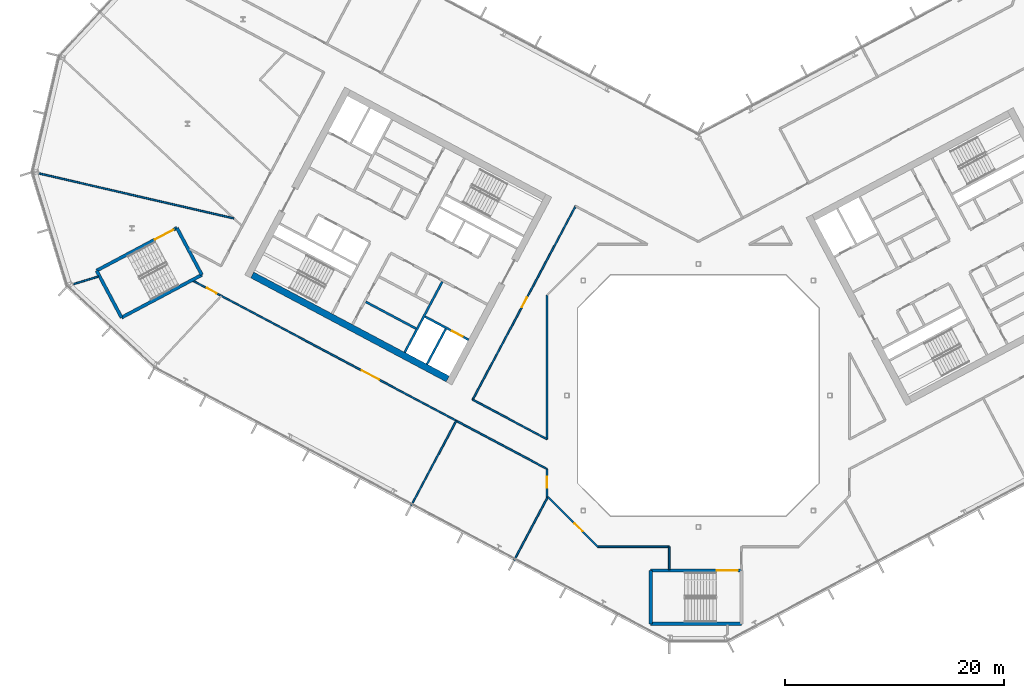
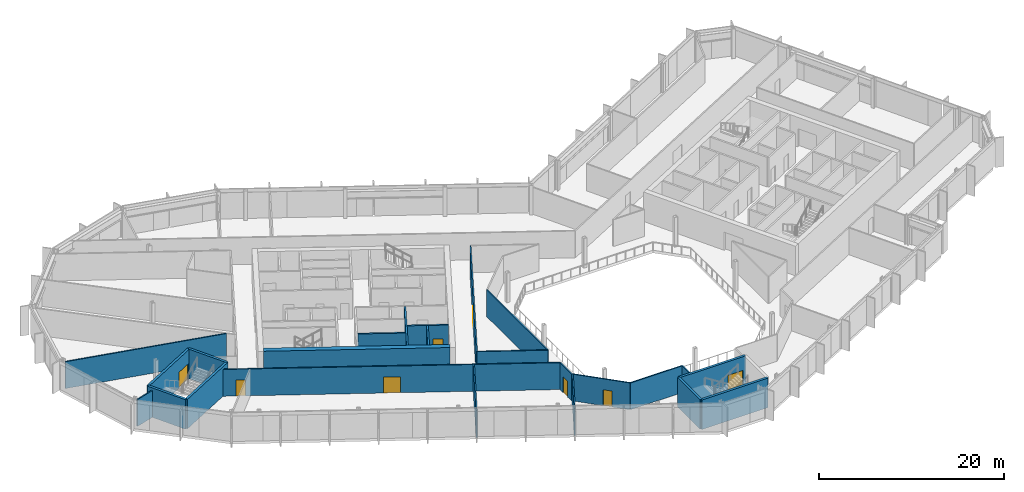
# One storey, part 12 of 26: 24 walls, 8 doors, 8 openings.
"""IFC4 building model written with IfcOpenShell, lengths in metres."""

from ifc_helpers import new_model, si_unit, direction, frame, frame_2d, origin, place, context, subcontext, project, spatial, rectangle, extrude, material, layer, layer_set, type_object, element, fill, save


model = new_model("IFC4")

# Units and contexts
model_context = context("Model", 3, precision=1e-05, world=origin(), true_north=direction((0.0, 1.0)))
body_context = subcontext(model_context, "Body", "Model", "MODEL_VIEW")
ifc_project = project(units=[si_unit("LENGTHUNIT", "METRE"), si_unit("AREAUNIT", "SQUARE_METRE"), si_unit("VOLUMEUNIT", "CUBIC_METRE"), si_unit("PLANEANGLEUNIT", "RADIAN"), si_unit("MASSUNIT", "GRAM", prefix="KILO")], contexts=[model_context])

# Site, building, storey
site_placement = place(None, origin())
site = spatial("IfcSite", under=ifc_project, at=site_placement, CompositionType="ELEMENT")
building_placement = place(site_placement, origin())
building = spatial("IfcBuilding", under=site, at=building_placement, Name="Cormorant Relay Tower", CompositionType="ELEMENT")
storey_placement = place(building_placement, frame((0.0, 0.0, 197.39990234375)))
storey = spatial("IfcBuildingStorey", under=building, at=storey_placement, Name="L42", CompositionType="ELEMENT", Elevation=197.39990234375)

# Walls
ifc_material_1 = material(Name="Concrete 40 MPa", Category="concrete")
ifc_layer_1 = layer(ifc_material_1, 0.199951171875)
ifc_layer_set_1 = layer_set([ifc_layer_1], Name="Core internal wall 200")
wall_type_1 = type_object("IfcWallType", Name="Core internal wall 200", PredefinedType="SOLIDWALL", material=ifc_layer_set_1)
wall_1_placement = place(storey_placement, frame((-25.7490234375, 6.102783203125, 0.0), z_axis=(0.0, 0.0, 1.0), x_axis=(-0.882953967957, 0.469459572775, 0.0)))
element("IfcWall", 1, at=wall_1_placement, inside=storey, type_object=wall_type_1, Name="L42 core A shaft and room wall", PredefinedType="SOLIDWALL", context=body_context, shape_type="SweptSolid", body=[
    extrude(rectangle(XDim=5.199951171875, YDim=0.199951171875, at=frame_2d((2.60009765625, 0.0))), origin(), (0.0, 0.0, 1.0), 3.900146484375),
])
ifc_material_2 = material(Name="Concrete 50 MPa", Category="concrete")
ifc_layer_2 = layer(ifc_material_2, 0.199951171875)
ifc_layer_set_2 = layer_set([ifc_layer_2], Name="Core shaft wall 200")
wall_type_2 = type_object("IfcWallType", Name="Core shaft wall 200", PredefinedType="SHEAR", material=ifc_layer_set_2)
wall_2_placement = place(storey_placement, frame((-23.04296875, 6.07958984375, 0.0), z_axis=(0.0, 0.0, 1.0), x_axis=(-0.469494272526, -0.882935517501, 0.0)))
element("IfcWall", 2, at=wall_2_placement, inside=storey, type_object=wall_type_2, Name="L42 core A shaft wall", PredefinedType="SHEAR", context=body_context, shape_type="SweptSolid", body=[
    extrude(rectangle(XDim=3.64990234375, YDim=0.199951171875, at=frame_2d((1.824951171875, 0.0))), origin(), (0.0, 0.0, 1.0), 3.900146484375),
])
wall_3_placement = place(storey_placement, frame((-23.360107421875, 10.38232421875, 0.0), z_axis=(0.0, 0.0, 1.0), x_axis=(-0.469480409012, -0.88294288918, 0.0)))
element("IfcWall", 3, at=wall_3_placement, inside=storey, type_object=wall_type_2, Name="L42 core A shaft wall", PredefinedType="SHEAR", context=body_context, shape_type="SweptSolid", body=[
    extrude(rectangle(XDim=7.300048828125, YDim=0.199951171875, at=frame_2d((3.64990234375, 0.0))), origin(), (0.0, 0.0, 1.0), 3.900146484375),
])

# Wall, opening, door
wall_4_placement = place(storey_placement, frame((-20.96533203125, 5.088134765625, 0.0), z_axis=(0.0, 0.0, 1.0), x_axis=(-0.882925986334, 0.469512196493, 0.0)))
wall_4 = element("IfcWall", 4, at=wall_4_placement, inside=storey, type_object=wall_type_2, Name="L42 core A shaft wall", PredefinedType="SHEAR", context=body_context, shape_type="SweptSolid", body=[
    extrude(rectangle(XDim=4.5, YDim=0.199951171875, at=frame_2d((2.25, 0.0))), origin(), (0.0, 0.0, 1.0), 3.900146484375),
])
opening_1_placement = place(wall_4_placement, frame((0.60009765625, 0.0, 0.0)))
opening_1 = element("IfcOpeningElement", 5, at=opening_1_placement, cuts=wall_4, Name="Opening LD1-063", PredefinedType="OPENING", context=body_context, shape_type="SweptSolid", body=[
    extrude(rectangle(XDim=1.10009765625, YDim=2.10009765625, at=frame_2d((0.550048828125, 1.050048828125))), frame((0.0, 0.10986328125, 0.0), z_axis=(0.0, -1.0, 0.0), x_axis=(1.0, 0.0, 0.0)), (0.0, 0.0, 1.0), 0.219970703125),
])
ifc_material_3 = material(Name="Stainless steel 316", Category="steel")
door_type_1 = type_object("IfcDoorType", Name="Lift landing door 1100x2100", OperationType="DOUBLE_DOOR_SLIDING", PredefinedType="DOOR", material=ifc_material_3)
door_1_placement = place(opening_1_placement, origin())
door_1 = element("IfcDoor", 6, at=door_1_placement, inside=storey, type_object=door_type_1, Name="FF1 landing door", OperationType="DOUBLE_DOOR_SLIDING", OverallHeight=2.10009765625, OverallWidth=1.10009765625, PredefinedType="DOOR", context=body_context, shape_type="SweptSolid", body=[
    extrude(rectangle(XDim=1.10009765625, YDim=2.10009765625, at=frame_2d((0.550048828125, 1.050048828125))), frame((0.0, 0.02490234375, 0.0), z_axis=(0.0, -1.0, 0.0), x_axis=(1.0, 0.0, 0.0)), (0.0, 0.0, 1.0), 0.050048828125),
])
fill(opening_1, door_1)

# Wall
ifc_material_4 = material(Name="Concrete 50 MPa", Category="concrete")
ifc_layer_3 = layer(ifc_material_4, 0.60009765625)
ifc_layer_set_3 = layer_set([ifc_layer_3], Name="Core wall 600")
wall_type_3 = type_object("IfcWallType", Name="Core wall 600", PredefinedType="SHEAR", material=ifc_layer_set_3)
wall_5_placement = place(storey_placement, frame((-22.86669921875, 1.51220703125, 0.0), z_axis=(0.0, 0.0, 1.0), x_axis=(-0.88294509198, 0.469476266226, 0.0)))
element("IfcWall", 7, at=wall_5_placement, inside=storey, type_object=wall_type_3, Name="L42 core A wall", PredefinedType="SHEAR", context=body_context, shape_type="SweptSolid", body=[
    extrude(rectangle(XDim=20.199951171875, YDim=0.60009765625, at=frame_2d((10.10009765625, 0.0))), origin(), (0.0, 0.0, 1.0), 3.900146484375),
])

# Wall, opening, door
ifc_material_5 = material(Name="Gypsum board fire partition")
ifc_layer_4 = layer(ifc_material_5, 0.14990234375)
ifc_layer_set_4 = layer_set([ifc_layer_4], Name="Corridor partition 150 EI 60")
wall_type_4 = type_object("IfcWallType", Name="Corridor partition 150 EI 60", PredefinedType="PARTITIONING", material=ifc_layer_set_4)
wall_6_placement = place(storey_placement, frame((-13.800048828125, -9.262939453125, 0.0), z_axis=(0.0, 0.0, 1.0), x_axis=(0.0, 1.0, 0.0)))
wall_6 = element("IfcWall", 8, at=wall_6_placement, inside=storey, type_object=wall_type_4, Name="wall/L42/part/015", PredefinedType="PARTITIONING", context=body_context, shape_type="SweptSolid", body=[
    extrude(rectangle(XDim=2.556884765625, YDim=0.14990234375, at=frame_2d((1.2783203125, 0.0))), origin(), (0.0, 0.0, 1.0), 3.5400390625),
])
opening_2_placement = place(wall_6_placement, frame((0.85400390625, 0.0, 0.0)))
opening_2 = element("IfcOpeningElement", 9, at=opening_2_placement, cuts=wall_6, Name="Opening DS-115", PredefinedType="OPENING", context=body_context, shape_type="SweptSolid", body=[
    extrude(rectangle(XDim=1.0, YDim=2.10009765625, at=frame_2d((0.5, 1.050048828125))), frame((0.0, 0.0849609375, 0.0), z_axis=(0.0, -1.0, 0.0), x_axis=(1.0, 0.0, 0.0)), (0.0, 0.0, 1.0), 0.169921875),
])
ifc_material_6 = material(Name="Timber door leaf", Category="wood")
door_type_2 = type_object("IfcDoorType", Name="Suite door 1000x2100", OperationType="SINGLE_SWING_LEFT", PredefinedType="DOOR", material=ifc_material_6)
door_2_placement = place(opening_2_placement, origin())
door_2 = element("IfcDoor", 10, at=door_2_placement, inside=storey, type_object=door_type_2, Name="door/L42/010", OperationType="SINGLE_SWING_RIGHT", OverallHeight=2.10009765625, OverallWidth=1.0, PredefinedType="DOOR", context=body_context, shape_type="SweptSolid", body=[
    extrude(rectangle(XDim=1.0, YDim=2.10009765625, at=frame_2d((0.5, 1.050048828125))), frame((0.0, 0.02490234375, 0.0), z_axis=(0.0, -1.0, 0.0), x_axis=(1.0, 0.0, 0.0)), (0.0, 0.0, 1.0), 0.050048828125),
])
fill(opening_2, door_2)

# Wall, openings, doors
wall_7_placement = place(storey_placement, frame((-13.800048828125, -6.7060546875, 0.0), z_axis=(0.0, 0.0, 1.0), x_axis=(-0.882947286887, 0.469472138235, 0.0)))
wall_7 = element("IfcWall", 11, at=wall_7_placement, inside=storey, type_object=wall_type_4, Name="wall/L42/part/016", PredefinedType="PARTITIONING", context=body_context, shape_type="SweptSolid", body=[
    extrude(rectangle(XDim=36.57080078125, YDim=0.14990234375, at=frame_2d((18.285400390625, 0.0))), origin(), (0.0, 0.0, 1.0), 3.5400390625),
])
opening_3_placement = place(wall_7_placement, frame((34.14990234375, 0.0, 0.0)))
opening_3 = element("IfcOpeningElement", 12, at=opening_3_placement, cuts=wall_7, Name="Opening DS-114", PredefinedType="OPENING", context=body_context, shape_type="SweptSolid", body=[
    extrude(rectangle(XDim=1.0, YDim=2.10009765625, at=frame_2d((0.5, 1.050048828125))), frame((0.0, 0.0849609375, 0.0), z_axis=(0.0, -1.0, 0.0), x_axis=(1.0, 0.0, 0.0)), (0.0, 0.0, 1.0), 0.169921875),
])
opening_4_placement = place(wall_7_placement, frame((17.35009765625, 0.0, 0.0)))
opening_4 = element("IfcOpeningElement", 13, at=opening_4_placement, cuts=wall_7, Name="Opening DD-022", PredefinedType="OPENING", context=body_context, shape_type="SweptSolid", body=[
    extrude(rectangle(XDim=1.800048828125, YDim=2.10009765625, at=frame_2d((0.89990234375, 1.050048828125))), frame((0.0, 0.0849609375, 0.0), z_axis=(0.0, -1.0, 0.0), x_axis=(1.0, 0.0, 0.0)), (0.0, 0.0, 1.0), 0.169921875),
])
door_3_placement = place(opening_3_placement, origin())
door_3 = element("IfcDoor", 14, at=door_3_placement, inside=storey, type_object=door_type_2, Name="door/L42/008", OperationType="SINGLE_SWING_LEFT", OverallHeight=2.10009765625, OverallWidth=1.0, PredefinedType="DOOR", context=body_context, shape_type="SweptSolid", body=[
    extrude(rectangle(XDim=1.0, YDim=2.10009765625, at=frame_2d((0.5, 1.050048828125))), frame((0.0, 0.02490234375, 0.0), z_axis=(0.0, -1.0, 0.0), x_axis=(1.0, 0.0, 0.0)), (0.0, 0.0, 1.0), 0.050048828125),
])
fill(opening_3, door_3)
ifc_material_7 = material(Name="Timber door leaf", Category="wood")
door_type_3 = type_object("IfcDoorType", Name="Suite double door 1800x2100", OperationType="DOUBLE_DOOR_SINGLE_SWING", PredefinedType="DOOR", material=ifc_material_7)
door_4_placement = place(opening_4_placement, origin())
door_4 = element("IfcDoor", 15, at=door_4_placement, inside=storey, type_object=door_type_3, Name="door/L42/009", OperationType="DOUBLE_DOOR_SINGLE_SWING", OverallHeight=2.10009765625, OverallWidth=1.800048828125, PredefinedType="DOOR", context=body_context, shape_type="SweptSolid", body=[
    extrude(rectangle(XDim=1.800048828125, YDim=2.10009765625, at=frame_2d((0.89990234375, 1.050048828125))), frame((0.0, 0.02490234375, 0.0), z_axis=(0.0, -1.0, 0.0), x_axis=(1.0, 0.0, 0.0)), (0.0, 0.0, 1.0), 0.050048828125),
])
fill(opening_4, door_4)

# Wall, opening, door
wall_8_placement = place(storey_placement, frame((-13.72607421875, -9.23388671875, 0.0), z_axis=(0.0, 0.0, 1.0), x_axis=(0.707106781187, -0.707106781187, 0.0)))
wall_8 = element("IfcWall", 16, at=wall_8_placement, inside=storey, type_object=wall_type_4, Name="wall/L42/part/022", PredefinedType="PARTITIONING", context=body_context, shape_type="SweptSolid", body=[
    extrude(rectangle(XDim=6.45751953125, YDim=0.14990234375, at=frame_2d((3.228759765625, 0.0))), origin(), (0.0, 0.0, 1.0), 3.5400390625),
])
opening_5_placement = place(wall_8_placement, frame((3.449951171875, 0.0, 0.0)))
opening_5 = element("IfcOpeningElement", 17, at=opening_5_placement, cuts=wall_8, Name="Opening DS-116", PredefinedType="OPENING", context=body_context, shape_type="SweptSolid", body=[
    extrude(rectangle(XDim=1.0, YDim=2.10009765625, at=frame_2d((0.5, 1.050048828125))), frame((0.0, 0.0849609375, 0.0), z_axis=(0.0, -1.0, 0.0), x_axis=(1.0, 0.0, 0.0)), (0.0, 0.0, 1.0), 0.169921875),
])
door_5_placement = place(opening_5_placement, frame((1.0, 0.0, 0.0), z_axis=(0.0, 0.0, 1.0), x_axis=(-1.0, 0.0, 0.0)))
door_5 = element("IfcDoor", 18, at=door_5_placement, inside=storey, type_object=door_type_2, Name="door/L42/011", OperationType="SINGLE_SWING_RIGHT", OverallHeight=2.10009765625, OverallWidth=1.0, PredefinedType="DOOR", context=body_context, shape_type="SweptSolid", body=[
    extrude(rectangle(XDim=1.0, YDim=2.10009765625, at=frame_2d((0.5, 1.050048828125))), frame((0.0, 0.02490234375, 0.0), z_axis=(0.0, -1.0, 0.0), x_axis=(1.0, 0.0, 0.0)), (0.0, 0.0, 1.0), 0.050048828125),
])
fill(opening_5, door_5)

# Walls
wall_9_placement = place(storey_placement, frame((-2.64892578125, -15.875, 0.0), z_axis=(0.0, 0.0, 1.0), x_axis=(0.0, 1.0, 0.0)))
element("IfcWall", 19, at=wall_9_placement, inside=storey, type_object=wall_type_4, Name="wall/L42/part/023", PredefinedType="PARTITIONING", context=body_context, shape_type="SweptSolid", body=[
    extrude(rectangle(XDim=2.074951171875, YDim=0.14990234375, at=frame_2d((1.03759765625, 0.0))), origin(), (0.0, 0.0, 1.0), 3.5400390625),
])
wall_10_placement = place(storey_placement, frame((-2.64892578125, -13.800048828125, 0.0), z_axis=(0.0, 0.0, 1.0), x_axis=(-1.0, 0.0, 0.0)))
element("IfcWall", 20, at=wall_10_placement, inside=storey, type_object=wall_type_4, Name="wall/L42/part/024", PredefinedType="PARTITIONING", context=body_context, shape_type="SweptSolid", body=[
    extrude(rectangle(XDim=6.510986328125, YDim=0.14990234375, at=frame_2d((3.25537109375, 0.0))), origin(), (0.0, 0.0, 1.0), 3.5400390625),
])

# Wall, opening, door
wall_11_placement = place(storey_placement, frame((-20.587890625, -0.37890625, 0.0), z_axis=(0.0, 0.0, 1.0), x_axis=(0.469489882812, 0.882937851685, 0.0)))
wall_11 = element("IfcWall", 21, at=wall_11_placement, inside=storey, type_object=wall_type_4, Name="wall/L42/part/044", PredefinedType="PARTITIONING", context=body_context, shape_type="SweptSolid", body=[
    extrude(rectangle(XDim=20.000244140625, YDim=0.14990234375, at=frame_2d((10.0, 0.0))), origin(), (0.0, 0.0, 1.0), 3.5400390625),
])
opening_6_placement = place(wall_11_placement, frame((9.550048828125, 0.0, 0.0)))
opening_6 = element("IfcOpeningElement", 22, at=opening_6_placement, cuts=wall_11, Name="Opening DS-117", PredefinedType="OPENING", context=body_context, shape_type="SweptSolid", body=[
    extrude(rectangle(XDim=1.0, YDim=2.10009765625, at=frame_2d((0.5, 1.050048828125))), frame((0.0, 0.0849609375, 0.0), z_axis=(0.0, -1.0, 0.0), x_axis=(1.0, 0.0, 0.0)), (0.0, 0.0, 1.0), 0.169921875),
])
door_6_placement = place(opening_6_placement, frame((1.0, 0.0, 0.0), z_axis=(0.0, 0.0, 1.0), x_axis=(-1.0, 0.0, 0.0)))
door_6 = element("IfcDoor", 23, at=door_6_placement, inside=storey, type_object=door_type_2, Name="door/L42/012", OperationType="SINGLE_SWING_LEFT", OverallHeight=2.10009765625, OverallWidth=1.0, PredefinedType="DOOR", context=body_context, shape_type="SweptSolid", body=[
    extrude(rectangle(XDim=1.0, YDim=2.10009765625, at=frame_2d((0.5, 1.050048828125))), frame((0.0, 0.02490234375, 0.0), z_axis=(0.0, -1.0, 0.0), x_axis=(1.0, 0.0, 0.0)), (0.0, 0.0, 1.0), 0.050048828125),
])
fill(opening_6, door_6)

# Walls
wall_12_placement = place(storey_placement, frame((-13.800048828125, 9.159912109375, 0.0), z_axis=(0.0, 0.0, 1.0), x_axis=(0.0, -1.0, 0.0)))
element("IfcWall", 24, at=wall_12_placement, inside=storey, type_object=wall_type_4, Name="wall/L42/part/048", PredefinedType="PARTITIONING", context=body_context, shape_type="SweptSolid", body=[
    extrude(rectangle(XDim=13.14794921875, YDim=0.14990234375, at=frame_2d((6.573974609375, 0.0))), origin(), (0.0, 0.0, 1.0), 3.5400390625),
])
wall_13_placement = place(storey_placement, frame((-13.800048828125, -3.988037109375, 0.0), z_axis=(0.0, 0.0, 1.0), x_axis=(-0.882949137368, 0.469468657976, 0.0)))
element("IfcWall", 25, at=wall_13_placement, inside=storey, type_object=wall_type_4, Name="wall/L42/part/049", PredefinedType="PARTITIONING", context=body_context, shape_type="SweptSolid", body=[
    extrude(rectangle(XDim=7.687744140625, YDim=0.14990234375, at=frame_2d((3.84375, 0.0))), origin(), (0.0, 0.0, 1.0), 3.5400390625),
])
ifc_material_8 = material(Name="Concrete 50 MPa", Category="concrete")
ifc_layer_5 = layer(ifc_material_8, 0.300048828125)
ifc_layer_set_5 = layer_set([ifc_layer_5], Name="Remote stair wall 300")
wall_type_5 = type_object("IfcWallType", Name="Remote stair wall 300", PredefinedType="SHEAR", material=ifc_layer_set_5)
wall_14_placement = place(storey_placement, frame((3.949951171875, -20.824951171875, 0.0), z_axis=(0.0, 0.0, 1.0), x_axis=(-1.0, 0.0, 0.0)))
element("IfcWall", 26, at=wall_14_placement, inside=storey, type_object=wall_type_5, Name="L42 exit stair RK1 wall", PredefinedType="SHEAR", context=body_context, shape_type="SweptSolid", body=[
    extrude(rectangle(XDim=8.300048828125, YDim=0.300048828125, at=frame_2d((4.14990234375, 0.0))), origin(), (0.0, 0.0, 1.0), 3.900146484375),
])
wall_15_placement = place(storey_placement, frame((-4.35009765625, -20.824951171875, 0.0), z_axis=(0.0, 0.0, 1.0), x_axis=(0.0, 1.0, 0.0)))
element("IfcWall", 27, at=wall_15_placement, inside=storey, type_object=wall_type_5, Name="L42 exit stair RK1 wall", PredefinedType="SHEAR", context=body_context, shape_type="SweptSolid", body=[
    extrude(rectangle(XDim=4.849853515625, YDim=0.300048828125, at=frame_2d((2.4248046875, 0.0))), origin(), (0.0, 0.0, 1.0), 3.900146484375),
])

# Wall, opening, door
wall_16_placement = place(storey_placement, frame((-4.35009765625, -15.97509765625, 0.0), z_axis=(0.0, 0.0, 1.0), x_axis=(1.0, 0.0, 0.0)))
wall_16 = element("IfcWall", 28, at=wall_16_placement, inside=storey, type_object=wall_type_5, Name="L42 exit stair RK1 wall", PredefinedType="SHEAR", context=body_context, shape_type="SweptSolid", body=[
    extrude(rectangle(XDim=8.300048828125, YDim=0.300048828125, at=frame_2d((4.14990234375, 0.0))), origin(), (0.0, 0.0, 1.0), 3.900146484375),
])
opening_7_placement = place(wall_16_placement, frame((6.050048828125, 0.0, 0.0)))
opening_7 = element("IfcOpeningElement", 29, at=opening_7_placement, cuts=wall_16, Name="Opening CDE-014", PredefinedType="OPENING", context=body_context, shape_type="SweptSolid", body=[
    extrude(rectangle(XDim=1.89990234375, YDim=2.10009765625, at=frame_2d((0.949951171875, 1.050048828125))), frame((0.0, 0.159912109375, 0.0), z_axis=(0.0, -1.0, 0.0), x_axis=(1.0, 0.0, 0.0)), (0.0, 0.0, 1.0), 0.320068359375),
])
ifc_material_9 = material(Name="Steel fire door", Category="steel")
door_type_4 = type_object("IfcDoorType", Name="Remote stair door 1900x2100", OperationType="DOUBLE_DOOR_SINGLE_SWING", PredefinedType="DOOR", material=ifc_material_9)
door_7_placement = place(opening_7_placement, frame((1.89990234375, 0.0, 0.0), z_axis=(0.0, 0.0, 1.0), x_axis=(-1.0, 0.0, 0.0)))
door_7 = element("IfcDoor", 30, at=door_7_placement, inside=storey, type_object=door_type_4, Name="Exit stair RK1 door", OperationType="DOUBLE_DOOR_SINGLE_SWING", OverallHeight=2.10009765625, OverallWidth=1.89990234375, PredefinedType="DOOR", context=body_context, shape_type="SweptSolid", body=[
    extrude(rectangle(XDim=1.89990234375, YDim=2.10009765625, at=frame_2d((0.949951171875, 1.050048828125))), frame((0.0, 0.02490234375, 0.0), z_axis=(0.0, -1.0, 0.0), x_axis=(1.0, 0.0, 0.0)), (0.0, 0.0, 1.0), 0.050048828125),
])
fill(opening_7, door_7)

# Walls
wall_17_placement = place(storey_placement, frame((-47.57421875, 15.28955078125, 0.0), z_axis=(0.0, 0.0, 1.0), x_axis=(0.469443498566, -0.882962514297, 0.0)))
element("IfcWall", 31, at=wall_17_placement, inside=storey, type_object=wall_type_5, Name="L42 exit stair RP1 wall", PredefinedType="SHEAR", context=body_context, shape_type="SweptSolid", body=[
    extrude(rectangle(XDim=4.85009765625, YDim=0.300048828125, at=frame_2d((2.425048828125, 0.0))), origin(), (0.0, 0.0, 1.0), 3.900146484375),
])
wall_18_placement = place(storey_placement, frame((-45.29736328125, 11.007080078125, 0.0), z_axis=(0.0, 0.0, 1.0), x_axis=(-0.882951519127, -0.469464178475, 0.0)))
element("IfcWall", 32, at=wall_18_placement, inside=storey, type_object=wall_type_5, Name="L42 exit stair RP1 wall", PredefinedType="SHEAR", context=body_context, shape_type="SweptSolid", body=[
    extrude(rectangle(XDim=8.2998046875, YDim=0.300048828125, at=frame_2d((4.14990234375, 0.0))), origin(), (0.0, 0.0, 1.0), 3.900146484375),
])
wall_19_placement = place(storey_placement, frame((-52.625732421875, 7.110595703125, 0.0), z_axis=(0.0, 0.0, 1.0), x_axis=(-0.469464364128, 0.882951420416, 0.0)))
element("IfcWall", 33, at=wall_19_placement, inside=storey, type_object=wall_type_5, Name="L42 exit stair RP1 wall", PredefinedType="SHEAR", context=body_context, shape_type="SweptSolid", body=[
    extrude(rectangle(XDim=4.849853515625, YDim=0.300048828125, at=frame_2d((2.4248046875, 0.0))), origin(), (0.0, 0.0, 1.0), 3.900146484375),
])

# Wall, opening, door
wall_20_placement = place(storey_placement, frame((-54.902587890625, 11.392822265625, 0.0), z_axis=(0.0, 0.0, 1.0), x_axis=(0.882939326045, 0.469487110071, 0.0)))
wall_20 = element("IfcWall", 34, at=wall_20_placement, inside=storey, type_object=wall_type_5, Name="L42 exit stair RP1 wall", PredefinedType="SHEAR", context=body_context, shape_type="SweptSolid", body=[
    extrude(rectangle(XDim=8.300048828125, YDim=0.300048828125, at=frame_2d((4.14990234375, 0.0))), origin(), (0.0, 0.0, 1.0), 3.900146484375),
])
opening_8_placement = place(wall_20_placement, frame((6.050048828125, 0.0, 0.0)))
opening_8 = element("IfcOpeningElement", 35, at=opening_8_placement, cuts=wall_20, Name="Opening CDE-015", PredefinedType="OPENING", context=body_context, shape_type="SweptSolid", body=[
    extrude(rectangle(XDim=1.89990234375, YDim=2.10009765625, at=frame_2d((0.949951171875, 1.050048828125))), frame((0.0, 0.159912109375, 0.0), z_axis=(0.0, -1.0, 0.0), x_axis=(1.0, 0.0, 0.0)), (0.0, 0.0, 1.0), 0.320068359375),
])
door_8_placement = place(opening_8_placement, frame((1.89990234375, 0.0, 0.0), z_axis=(0.0, 0.0, 1.0), x_axis=(-1.0, 0.0, 0.0)))
door_8 = element("IfcDoor", 36, at=door_8_placement, inside=storey, type_object=door_type_4, Name="Exit stair RP1 door", OperationType="DOUBLE_DOOR_SINGLE_SWING", OverallHeight=2.10009765625, OverallWidth=1.89990234375, PredefinedType="DOOR", context=body_context, shape_type="SweptSolid", body=[
    extrude(rectangle(XDim=1.89990234375, YDim=2.10009765625, at=frame_2d((0.949951171875, 1.050048828125))), frame((0.0, 0.02490234375, 0.0), z_axis=(0.0, -1.0, 0.0), x_axis=(1.0, 0.0, 0.0)), (0.0, 0.0, 1.0), 0.050048828125),
])
fill(opening_8, door_8)

# Walls
ifc_material_10 = material(Name="Gypsum board partition")
ifc_layer_6 = layer(ifc_material_10, 0.14990234375)
ifc_layer_set_6 = layer_set([ifc_layer_6], Name="Tenant partition 150")
wall_type_6 = type_object("IfcWallType", Name="Tenant partition 150", PredefinedType="PARTITIONING", material=ifc_layer_set_6)
wall_21_placement = place(storey_placement, frame((-60.162109375, 20.264892578125, 0.0), z_axis=(0.0, 0.0, 1.0), x_axis=(0.974367298847, -0.224963034603, 0.0)))
element("IfcWall", 37, at=wall_21_placement, inside=storey, type_object=wall_type_6, Name="wall/L42/part/001", PredefinedType="PARTITIONING", context=body_context, shape_type="SweptSolid", body=[
    extrude(rectangle(XDim=18.256103515625, YDim=0.14990234375, at=frame_2d((9.1279296875, 0.0))), origin(), (0.0, 0.0, 1.0), 3.5400390625),
])
wall_22_placement = place(storey_placement, frame((-54.73193359375, 10.85693359375, 0.0), z_axis=(0.0, 0.0, 1.0), x_axis=(-0.956308315689, -0.292360061129, 0.0)))
element("IfcWall", 38, at=wall_22_placement, inside=storey, type_object=wall_type_6, Name="wall/L42/part/004", PredefinedType="PARTITIONING", context=body_context, shape_type="SweptSolid", body=[
    extrude(rectangle(XDim=2.36669921875, YDim=0.14990234375, at=frame_2d((1.183349609375, 0.0))), origin(), (0.0, 0.0, 1.0), 3.5400390625),
])
wall_23_placement = place(storey_placement, frame((-22.0830078125, -2.302001953125, 0.0), z_axis=(0.0, 0.0, 1.0), x_axis=(-0.469445946219, -0.882961212952, 0.0)))
element("IfcWall", 39, at=wall_23_placement, inside=storey, type_object=wall_type_6, Name="wall/L42/part/010", PredefinedType="PARTITIONING", context=body_context, shape_type="SweptSolid", body=[
    extrude(rectangle(XDim=8.800048828125, YDim=0.14990234375, at=frame_2d((4.39990234375, 0.0))), origin(), (0.0, 0.0, 1.0), 3.5400390625),
])
wall_24_placement = place(storey_placement, frame((-13.72607421875, -9.23388671875, 0.0), z_axis=(0.0, 0.0, 1.0), x_axis=(-0.469465185833, -0.882950983515, 0.0)))
element("IfcWall", 40, at=wall_24_placement, inside=storey, type_object=wall_type_6, Name="wall/L42/part/021", PredefinedType="PARTITIONING", context=body_context, shape_type="SweptSolid", body=[
    extrude(rectangle(XDim=6.60302734375, YDim=0.14990234375, at=frame_2d((3.301513671875, 0.0))), origin(), (0.0, 0.0, 1.0), 3.5400390625),
])

save(model, "model.ifc")
